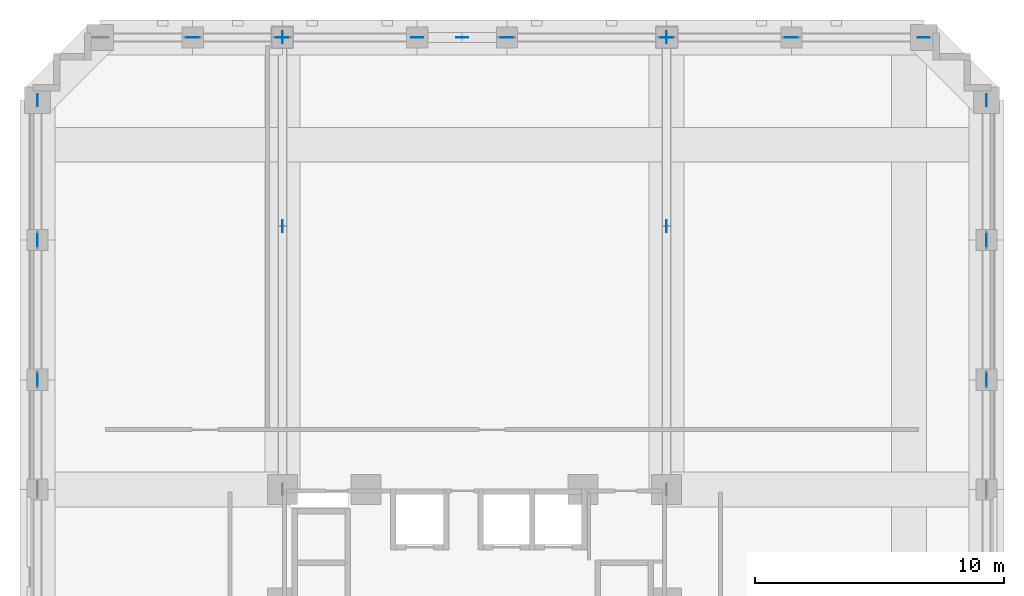
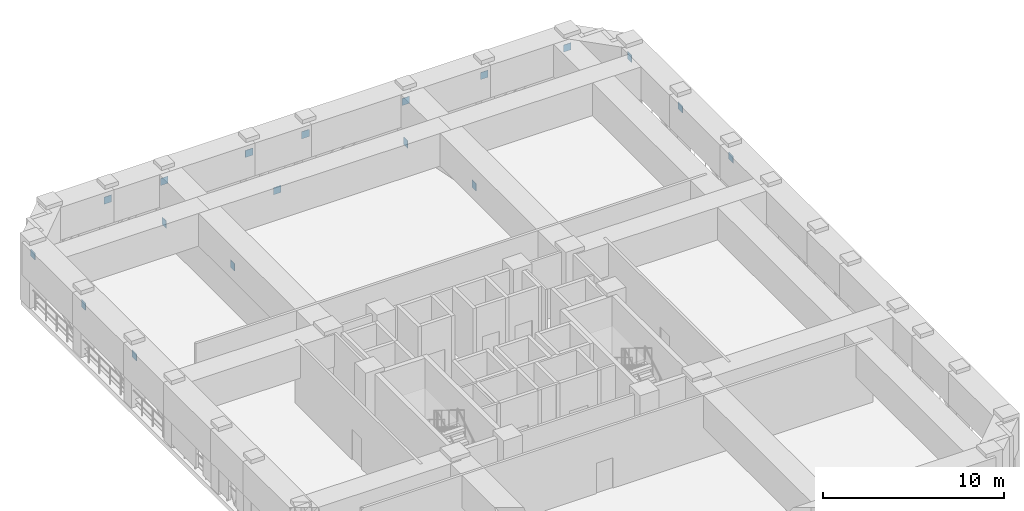
# One storey, part 8 of 11: 18 discrete accessories.
"""IFC4 building model written with IfcOpenShell, lengths in metres."""

from ifc_helpers import new_model, si_unit, derived_unit, direction, frame, origin, origin_2d, place, context, subcontext, project, spatial, rectangle, extrude, material, layer, layer_set, type_object, element, save


model = new_model("IFC4")

# Units and contexts
model_context = context("Model", 3, precision=1e-05, world=origin(), true_north=direction((0.0, 1.0)))
body_context = subcontext(model_context, "Body", "Model", "MODEL_VIEW")
ifc_project = project(units=[si_unit("LENGTHUNIT", "METRE"), si_unit("AREAUNIT", "SQUARE_METRE"), si_unit("VOLUMEUNIT", "CUBIC_METRE"), si_unit("PLANEANGLEUNIT", "RADIAN"), si_unit("MASSUNIT", "GRAM", prefix="KILO"), derived_unit("THERMALTRANSMITTANCEUNIT", [(si_unit("MASSUNIT", "GRAM", prefix="KILO"), 1), (si_unit("TIMEUNIT", "SECOND"), -3), (si_unit("THERMODYNAMICTEMPERATUREUNIT", "KELVIN"), -1)])], contexts=[model_context])

# Site, building, storey
site_placement = place(None, origin())
site = spatial("IfcSite", under=ifc_project, at=site_placement, CompositionType="ELEMENT")
building_placement = place(site_placement, origin())
building = spatial("IfcBuilding", under=site, at=building_placement, Name="Korrvale Station Residences", CompositionType="ELEMENT")
storey_placement = place(building_placement, frame((0.0, 0.0, 70.60009765625)))
storey = spatial("IfcBuildingStorey", under=building, at=storey_placement, Name="L19", CompositionType="ELEMENT", Elevation=70.60009765625)

# Discrete accessories
ifc_material = material(Name="Steel S355", Category="steel")
ifc_layer = layer(ifc_material, 0.02490234375, Name="Steel S355")
ifc_layer_set = layer_set([ifc_layer], Name="Steel S355")
discrete_accessory_type = type_object("IfcDiscreteAccessoryType", Name="ACC-GUSSET-25", PredefinedType="BRACKET", material=ifc_layer_set)
for number, where, z_axis, x_axis, name in (
    (1, (25.0, 47.1201171875, -0.219970703125), (0.0, 0.0, 1.0), (1.0, 0.0, 0.0), "L19 N Brace End Gusset Connection M"),
    (2, (23.199951171875, 47.1201171875, 2.919921875), (0.0, 0.0, 1.0), (1.0, 0.0, 0.0), "L19 N Brace End Gusset Connection A"),
    (3, (26.800048828125, 47.1201171875, 2.919921875), (0.0, 0.0, 1.0), (1.0, 0.0, 0.0), "L19 N Brace End Gusset Connection B"),
    (4, (14.199951171875, 47.1201171875, 2.919921875), (0.0, 0.0, 1.0), (1.0, 0.0, 0.0), "L19 Belt Truss Top Gusset Connection 07"),
    (5, (17.800048828125, 47.1201171875, 2.919921875), (0.0, 0.0, 1.0), (1.0, 0.0, 0.0), "L19 Belt Truss Top Gusset Connection 08"),
    (6, (33.199951171875, 47.1201171875, 2.919921875), (0.0, 0.0, 1.0), (1.0, 0.0, 0.0), "L19 Belt Truss Top Gusset Connection 10"),
    (7, (38.199951171875, 47.1201171875, 2.919921875), (0.0, 0.0, 1.0), (1.0, 0.0, 0.0), "L19 Belt Truss Top Gusset Connection 11"),
    (8, (43.5, 47.1201171875, 2.919921875), (0.0, 0.0, 1.0), (1.0, 0.0, 0.0), "L19 Belt Truss Top Gusset Connection 12"),
    (9, (7.97998046875, 33.39990234375, 2.919921875), (0.0, 0.0, 1.0), (0.0, 1.0, 0.0), "L19 Belt Truss Top Gusset Connection 18"),
    (10, (7.97998046875, 39.0, 2.919921875), (0.0, 0.0, 1.0), (0.0, 1.0, 0.0), "L19 Belt Truss Top Gusset Connection 19"),
    (11, (7.97998046875, 44.60009765625, 2.919921875), (0.0, 0.0, 1.0), (0.0, 1.0, 0.0), "L19 Belt Truss Top Gusset Connection 20"),
    (12, (46.02001953125, 33.39990234375, 2.919921875), (0.0, 0.0, 1.0), (0.0, 1.0, 0.0), "L19 Belt Truss Top Gusset Connection 26"),
    (13, (46.02001953125, 39.0, 2.919921875), (0.0, 0.0, 1.0), (0.0, 1.0, 0.0), "L19 Belt Truss Top Gusset Connection 27"),
    (14, (46.02001953125, 44.60009765625, 2.919921875), (0.0, 0.0, 1.0), (0.0, 1.0, 0.0), "L19 Belt Truss Top Gusset Connection 28"),
    (15, (17.800048828125, 47.1201171875, 0.10986328125), (0.0, 0.0, 1.0), (0.0, 1.0, 0.0), "L19 Outrigger Gusset Connection 3A"),
    (16, (17.800048828125, 39.56005859375, 1.7998046875), (0.0, 0.0, 1.0), (0.0, 1.0, 0.0), "L19 Outrigger Gusset Connection 3M"),
    (17, (33.199951171875, 47.1201171875, 0.10986328125), (0.0, 0.0, 1.0), (0.0, 1.0, 0.0), "L19 Outrigger Gusset Connection 4A"),
    (18, (33.199951171875, 39.56005859375, 1.7998046875), (0.0, 0.0, 1.0), (0.0, 1.0, 0.0), "L19 Outrigger Gusset Connection 4M"),
):
    element("IfcDiscreteAccessory", number, at=place(storey_placement, frame(where, z_axis=z_axis, x_axis=x_axis)), inside=storey, type_object=discrete_accessory_type, Name=name, PredefinedType="BRACKET", context=body_context, shape_type="SweptSolid", body=[
        extrude(rectangle(XDim=0.47998046875, YDim=0.02490234375, at=origin_2d()), origin(), (0.0, 0.0, 1.0), 0.47998046875),
    ])

save(model, "model.ifc")
